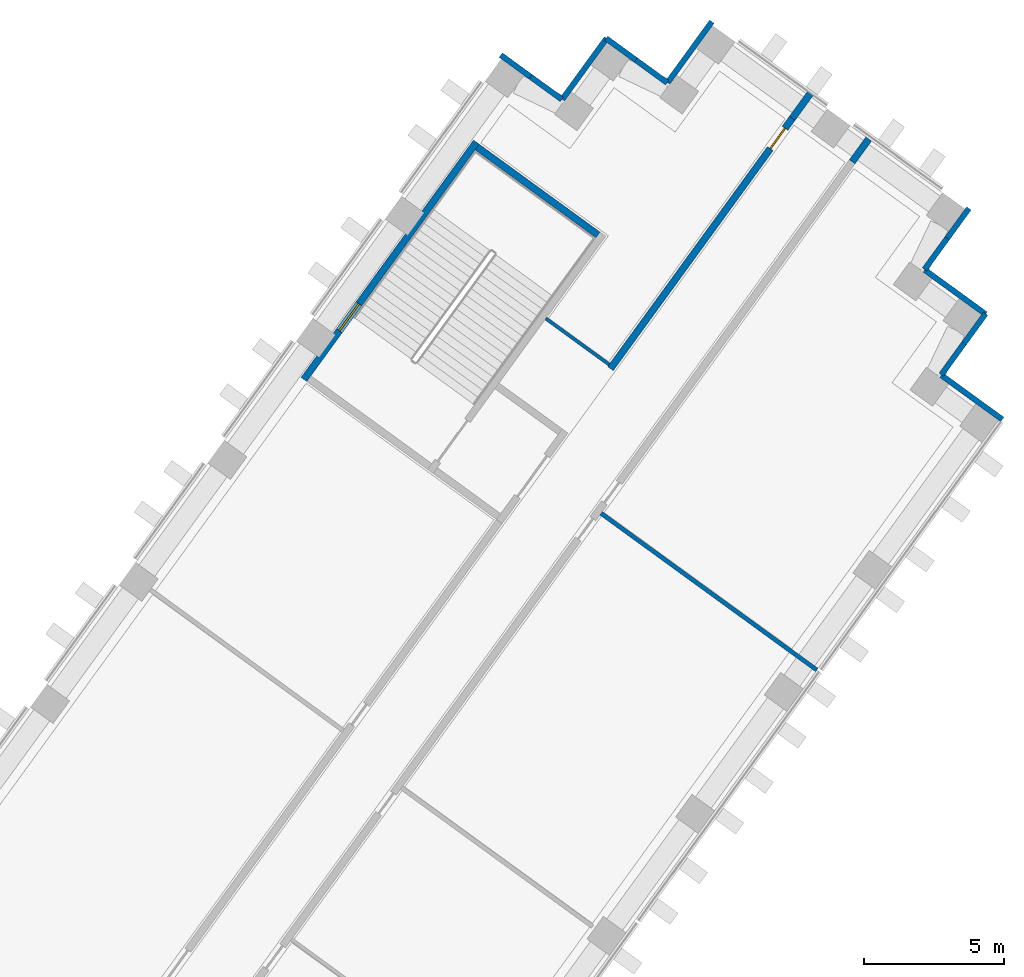
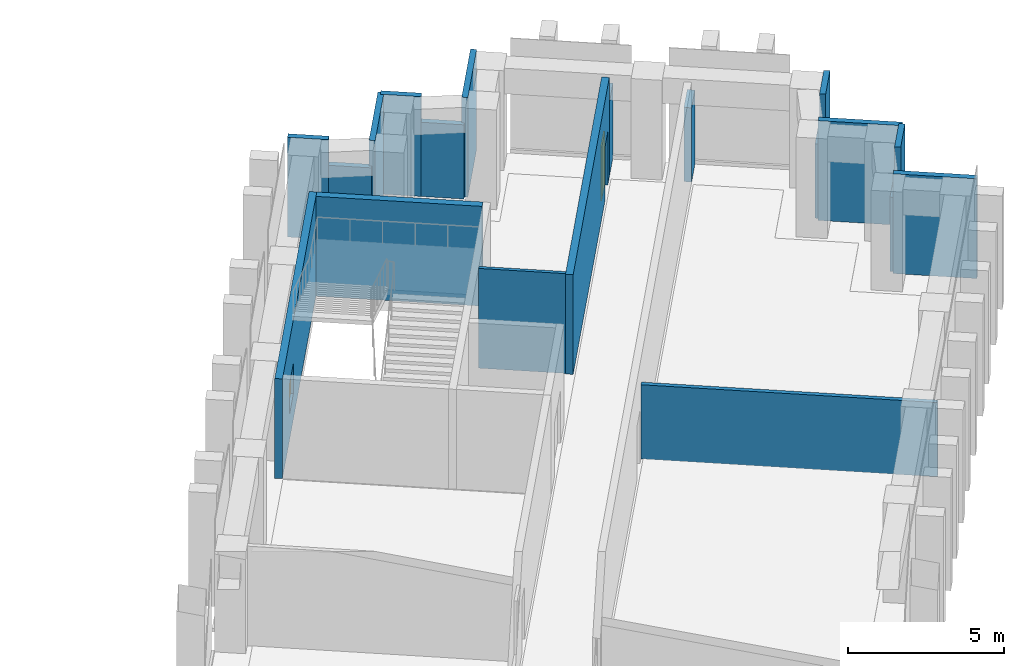
# One storey, part 10 of 14: 19 walls, 1 door, 1 window, 2 openings.
"""IFC4 building model written with IfcOpenShell, lengths in metres."""

from ifc_helpers import new_model, si_unit, direction, frame, frame_2d, origin, place, context, subcontext, project, spatial, rectangle, extrude, material, layer, layer_set, type_object, element, fill, save


model = new_model("IFC4")

# Units and contexts
model_context = context("Model", 3, precision=1e-05, world=origin(), true_north=direction((0.0, 1.0)))
body_context = subcontext(model_context, "Body", "Model", "MODEL_VIEW")
ifc_project = project(units=[si_unit("LENGTHUNIT", "METRE"), si_unit("AREAUNIT", "SQUARE_METRE"), si_unit("VOLUMEUNIT", "CUBIC_METRE"), si_unit("PLANEANGLEUNIT", "RADIAN"), si_unit("MASSUNIT", "GRAM", prefix="KILO")], contexts=[model_context])

# Site, building, storey
site_placement = place(None, origin())
site = spatial("IfcSite", under=ifc_project, at=site_placement, CompositionType="ELEMENT")
building_placement = place(site_placement, origin())
building = spatial("IfcBuilding", under=site, at=building_placement, Name="Quipu Civic Tower", CompositionType="ELEMENT")
storey_placement = place(building_placement, frame((0.0, 0.0, 20.5)))
storey = spatial("IfcBuildingStorey", under=building, at=storey_placement, Name="L04", CompositionType="ELEMENT", Elevation=20.5)

# Walls
ifc_material_1 = material(Name="Double gypsum plasterboard with mineral wool")
ifc_layer_1 = layer(ifc_material_1, 0.14990234375)
ifc_layer_set_1 = layer_set([ifc_layer_1], Name="Double gypsum plasterboard with mineral wool")
wall_type_1 = type_object("IfcWallType", Name="Acoustic partition 150 plasterboard", PredefinedType="PARTITIONING", material=ifc_layer_set_1)
wall_1_placement = place(storey_placement, frame((48.605224609375, 20.657470703125, 0.0), z_axis=(0.0, 0.0, 1.0), x_axis=(-0.809102944047, 0.587666934526, 0.0)))
element("IfcWall", 1, at=wall_1_placement, inside=storey, type_object=wall_type_1, Name="Partition P07", PredefinedType="PARTITIONING", context=body_context, shape_type="SweptSolid", body=[
    extrude(rectangle(XDim=9.550048828125, YDim=0.14990234375, at=frame_2d((4.77490234375, 0.0))), origin(), (0.0, 0.0, 1.0), 2.89990234375),
])
ifc_material_2 = material(Name="Concrete C70/85", Category="concrete")
ifc_layer_2 = layer(ifc_material_2, 0.25)
ifc_layer_set_2 = layer_set([ifc_layer_2], Name="Concrete C70/85")
wall_type_2 = type_object("IfcWallType", Name="Core wall 250", PredefinedType="SHEAR", material=ifc_layer_set_2)
wall_2_placement = place(storey_placement, frame((40.76708984375, 36.239501953125, 0.0), z_axis=(0.0, 0.0, 1.0), x_axis=(-0.809020161303, 0.587780893365, 0.0)))
element("IfcWall", 2, at=wall_2_placement, inside=storey, type_object=wall_type_2, Name="Core wall", PredefinedType="SHEAR", context=body_context, shape_type="SweptSolid", body=[
    extrude(rectangle(XDim=5.349853515625, YDim=0.25, at=frame_2d((2.6748046875, 0.0))), origin(), (0.0, 0.0, 1.0), 3.89990234375),
])

# Wall, opening, window
wall_3_placement = place(storey_placement, frame((30.239501953125, 31.06396484375, 0.0), z_axis=(0.0, 0.0, 1.0), x_axis=(0.587795589702, 0.809009483706, 0.0)))
wall_3 = element("IfcWall", 3, at=wall_3_placement, inside=storey, type_object=wall_type_2, Name="Core wall", PredefinedType="SHEAR", context=body_context, shape_type="SweptSolid", body=[
    extrude(rectangle(XDim=10.5, YDim=0.25, at=frame_2d((5.25, 0.0))), origin(), (0.0, 0.0, 1.0), 3.89990234375),
])
opening_1_placement = place(wall_3_placement, frame((2.14990234375, 0.0, 1.0)))
opening_1 = element("IfcOpeningElement", 4, at=opening_1_placement, cuts=wall_3, Name="Opening SV-7", PredefinedType="OPENING", context=body_context, shape_type="SweptSolid", body=[
    extrude(rectangle(XDim=1.199951171875, YDim=1.199951171875, at=frame_2d((0.60009765625, 0.60009765625))), frame((0.0, 0.135009765625, 0.0), z_axis=(0.0, -1.0, 0.0), x_axis=(1.0, 0.0, 0.0)), (0.0, 0.0, 1.0), 0.27001953125),
])
ifc_material_3 = material(Name="Aluminium louvre", Category="aluminium")
window_type = type_object("IfcWindowType", Name="Stair ventilation louvre 1200 x 1200", PartitioningType="SINGLE_PANEL", PredefinedType="WINDOW", material=ifc_material_3)
window_placement = place(opening_1_placement, origin())
window = element("IfcWindow", 5, at=window_placement, inside=storey, type_object=window_type, Name="Stair ventilation opening", OverallHeight=1.199951171875, OverallWidth=1.199951171875, PartitioningType="SINGLE_PANEL", PredefinedType="WINDOW", context=body_context, shape_type="SweptSolid", body=[
    extrude(rectangle(XDim=1.199951171875, YDim=1.199951171875, at=frame_2d((0.60009765625, 0.60009765625))), frame((0.0, 0.030029296875, 0.0), z_axis=(0.0, -1.0, 0.0), x_axis=(1.0, 0.0, 0.0)), (0.0, 0.0, 1.0), 0.06005859375),
])
fill(opening_1, window)

# Wall, opening, door
ifc_material_4 = material(Name="Concrete C50/60", Category="concrete")
ifc_layer_3 = layer(ifc_material_4, 0.25)
ifc_layer_set_3 = layer_set([ifc_layer_3], Name="Concrete C50/60")
wall_type_3 = type_object("IfcWallType", Name="Corridor wall 250 concrete", PredefinedType="SOLIDWALL", material=ifc_layer_set_3)
wall_4_placement = place(storey_placement, frame((41.213134765625, 31.451416015625, 0.0), z_axis=(0.0, 0.0, 1.0), x_axis=(0.587773291021, 0.809025684612, 0.0)))
wall_4 = element("IfcWall", 6, at=wall_4_placement, inside=storey, type_object=wall_type_3, Name="Corridor wall C07", PredefinedType="SOLIDWALL", context=body_context, shape_type="SweptSolid", body=[
    extrude(rectangle(XDim=11.07861328125, YDim=0.25, at=frame_2d((5.539306640625, 0.0))), origin(), (0.0, 0.0, 1.0), 3.89990234375),
])
opening_2_placement = place(wall_4_placement, frame((9.736083984375, 0.0, 0.0)))
opening_2 = element("IfcOpeningElement", 7, at=opening_2_placement, cuts=wall_4, Name="Opening D003", PredefinedType="OPENING", context=body_context, shape_type="SweptSolid", body=[
    extrude(rectangle(XDim=0.89990234375, YDim=2.10009765625, at=frame_2d((0.449951171875, 1.050048828125))), frame((0.0, 0.135009765625, 0.0), z_axis=(0.0, -1.0, 0.0), x_axis=(1.0, 0.0, 0.0)), (0.0, 0.0, 1.0), 0.27001953125),
])
ifc_material_5 = material(Name="Fire rated timber door set with metal frame", Category="wood")
door_type = type_object("IfcDoorType", Name="Single door 900 x 2100 FD60", OperationType="NOTDEFINED", PredefinedType="DOOR", material=ifc_material_5)
door_placement = place(opening_2_placement, origin())
door = element("IfcDoor", 8, at=door_placement, inside=storey, type_object=door_type, Name="Door D003", OperationType="SINGLE_SWING_RIGHT", OverallHeight=2.10009765625, OverallWidth=0.89990234375, PredefinedType="DOOR", context=body_context, shape_type="SweptSolid", body=[
    extrude(rectangle(XDim=0.89990234375, YDim=2.10009765625, at=frame_2d((0.449951171875, 1.050048828125))), frame((0.0, 0.02490234375, 0.0), z_axis=(0.0, -1.0, 0.0), x_axis=(1.0, 0.0, 0.0)), (0.0, 0.0, 1.0), 0.050048828125),
])
fill(opening_2, door)

# Walls
wall_5_placement = place(storey_placement, frame((49.86865234375, 38.8564453125, 0.0), z_axis=(0.0, 0.0, 1.0), x_axis=(0.587725246084, 0.809060588037, 0.0)))
element("IfcWall", 9, at=wall_5_placement, inside=storey, type_object=wall_type_3, Name="Corridor wall C01", PredefinedType="SOLIDWALL", context=body_context, shape_type="SweptSolid", body=[
    extrude(rectangle(XDim=1.008056640625, YDim=0.25, at=frame_2d((0.50390625, 0.0))), origin(), (0.0, 0.0, 1.0), 2.89990234375),
])
wall_6_placement = place(storey_placement, frame((47.724853515625, 40.414306640625, 0.0), z_axis=(0.0, 0.0, 1.0), x_axis=(0.587883639643, 0.808945502639, 0.0)))
element("IfcWall", 10, at=wall_6_placement, inside=storey, type_object=wall_type_3, Name="Corridor wall C07", PredefinedType="SOLIDWALL", context=body_context, shape_type="SweptSolid", body=[
    extrude(rectangle(XDim=1.10888671875, YDim=0.25, at=frame_2d((0.554443359375, 0.0))), origin(), (0.0, 0.0, 1.0), 2.89990234375),
])
ifc_material_6 = material(Name="Gypsum plasterboard on light gauge framing")
ifc_layer_4 = layer(ifc_material_6, 0.1201171875)
ifc_layer_set_4 = layer_set([ifc_layer_4], Name="Gypsum plasterboard on light gauge framing")
wall_type_4 = type_object("IfcWallType", Name="Partition 120 plasterboard", PredefinedType="PARTITIONING", material=ifc_layer_set_4)
wall_7_placement = place(storey_placement, frame((38.89990234375, 33.2451171875, 0.0), z_axis=(0.0, 0.0, 1.0), x_axis=(0.809090262332, -0.587684394381, 0.0)))
element("IfcWall", 11, at=wall_7_placement, inside=storey, type_object=wall_type_4, Name="Partition P12", PredefinedType="PARTITIONING", context=body_context, shape_type="SweptSolid", body=[
    extrude(rectangle(XDim=2.80078125, YDim=0.1201171875, at=frame_2d((1.400390625, 0.0))), origin(), (0.0, 0.0, 1.0), 3.89990234375),
])
ifc_material_7 = material(Name="Precast concrete C40/50", Category="concrete")
wall_type_5 = type_object("IfcWallType", Name="Precast cladding wall", PredefinedType="SOLIDWALL", material=ifc_material_7)
wall_8_placement = place(storey_placement, frame((55.2470703125, 29.62890625, 0.0), z_axis=(0.0, 0.0, 1.0), x_axis=(-0.809033161865, 0.587762999008, 0.0)))
element("IfcWall", 12, at=wall_8_placement, inside=storey, type_object=wall_type_5, Name="Precast cladding wall L04 P34", PredefinedType="SOLIDWALL", context=body_context, shape_type="SweptSolid", body=[
    extrude(rectangle(XDim=2.699951171875, YDim=0.199951171875, at=frame_2d((1.35009765625, 0.0))), origin(), (0.0, 0.0, 1.0), 3.89990234375),
])
wall_9_placement = place(storey_placement, frame((53.06005859375, 31.232666015625, 0.0), z_axis=(0.0, 0.0, 1.0), x_axis=(0.587776137069, 0.809023616894, 0.0)))
element("IfcWall", 13, at=wall_9_placement, inside=storey, type_object=wall_type_5, Name="Precast cladding wall L04 P35", PredefinedType="SOLIDWALL", context=body_context, shape_type="SweptSolid", body=[
    extrude(rectangle(XDim=1.394775390625, YDim=0.199951171875, at=frame_2d((0.697265625, 0.0))), origin(), (0.0, 0.0, 1.0), 2.89990234375),
])
wall_10_placement = place(storey_placement, frame((53.8798828125, 32.361083984375, 0.0), z_axis=(0.0, 0.0, 1.0), x_axis=(0.587871379726, 0.808954412127, 0.0)))
element("IfcWall", 14, at=wall_10_placement, inside=storey, type_object=wall_type_5, Name="Precast cladding wall L04 P35 a", PredefinedType="SOLIDWALL", context=body_context, shape_type="SweptSolid", body=[
    extrude(rectangle(XDim=1.30517578125, YDim=0.199951171875, at=frame_2d((0.652587890625, 0.0))), origin(), (0.0, 0.0, 1.0), 3.89990234375),
])
wall_11_placement = place(storey_placement, frame((54.649658203125, 33.400390625, 0.0), z_axis=(0.0, 0.0, 1.0), x_axis=(-0.809033161865, 0.587762999008, 0.0)))
element("IfcWall", 15, at=wall_11_placement, inside=storey, type_object=wall_type_5, Name="Precast cladding wall L04 P36", PredefinedType="SOLIDWALL", context=body_context, shape_type="SweptSolid", body=[
    extrude(rectangle(XDim=2.699951171875, YDim=0.199951171875, at=frame_2d((1.35009765625, 0.0))), origin(), (0.0, 0.0, 1.0), 3.89990234375),
])
wall_12_placement = place(storey_placement, frame((52.462646484375, 35.004150390625, 0.0), z_axis=(0.0, 0.0, 1.0), x_axis=(0.587782252522, 0.809019173827, 0.0)))
element("IfcWall", 16, at=wall_12_placement, inside=storey, type_object=wall_type_5, Name="Precast cladding wall L04 P37", PredefinedType="SOLIDWALL", context=body_context, shape_type="SweptSolid", body=[
    extrude(rectangle(XDim=1.37939453125, YDim=0.199951171875, at=frame_2d((0.689697265625, 0.0))), origin(), (0.0, 0.0, 1.0), 2.89990234375),
])
wall_13_placement = place(storey_placement, frame((53.2734375, 36.1201171875, 0.0), z_axis=(0.0, 0.0, 1.0), x_axis=(0.58786388341, 0.808959859686, 0.0)))
element("IfcWall", 17, at=wall_13_placement, inside=storey, type_object=wall_type_5, Name="Precast cladding wall L04 P37 a", PredefinedType="SOLIDWALL", context=body_context, shape_type="SweptSolid", body=[
    extrude(rectangle(XDim=1.320556640625, YDim=0.199951171875, at=frame_2d((0.66015625, 0.0))), origin(), (0.0, 0.0, 1.0), 3.89990234375),
])
wall_14_placement = place(storey_placement, frame((44.846435546875, 43.875, 0.0), z_axis=(0.0, 0.0, 1.0), x_axis=(-0.587822180636, -0.808990163075, 0.0)))
element("IfcWall", 18, at=wall_14_placement, inside=storey, type_object=wall_type_5, Name="Precast cladding wall L04 P40", PredefinedType="SOLIDWALL", context=body_context, shape_type="SweptSolid", body=[
    extrude(rectangle(XDim=2.699951171875, YDim=0.199951171875, at=frame_2d((1.35009765625, 0.0))), origin(), (0.0, 0.0, 1.0), 3.89990234375),
])
wall_15_placement = place(storey_placement, frame((43.242431640625, 41.68798828125, 0.0), z_axis=(0.0, 0.0, 1.0), x_axis=(-0.808926734208, 0.5879094647, 0.0)))
element("IfcWall", 19, at=wall_15_placement, inside=storey, type_object=wall_type_5, Name="Precast cladding wall L04 P41", PredefinedType="SOLIDWALL", context=body_context, shape_type="SweptSolid", body=[
    extrude(rectangle(XDim=1.384033203125, YDim=0.199951171875, at=frame_2d((0.69189453125, 0.0))), origin(), (0.0, 0.0, 1.0), 2.89990234375),
])
wall_16_placement = place(storey_placement, frame((42.122802734375, 42.501708984375, 0.0), z_axis=(0.0, 0.0, 1.0), x_axis=(-0.809056865039, 0.587730371117, 0.0)))
element("IfcWall", 20, at=wall_16_placement, inside=storey, type_object=wall_type_5, Name="Precast cladding wall L04 P41 a", PredefinedType="SOLIDWALL", context=body_context, shape_type="SweptSolid", body=[
    extrude(rectangle(XDim=1.31591796875, YDim=0.199951171875, at=frame_2d((0.657958984375, 0.0))), origin(), (0.0, 0.0, 1.0), 3.89990234375),
])
wall_17_placement = place(storey_placement, frame((41.074951171875, 43.277587890625, 0.0), z_axis=(0.0, 0.0, 1.0), x_axis=(-0.587806000234, -0.809001919707, 0.0)))
element("IfcWall", 21, at=wall_17_placement, inside=storey, type_object=wall_type_5, Name="Precast cladding wall L04 P42", PredefinedType="SOLIDWALL", context=body_context, shape_type="SweptSolid", body=[
    extrude(rectangle(XDim=2.69970703125, YDim=0.199951171875, at=frame_2d((1.349853515625, 0.0))), origin(), (0.0, 0.0, 1.0), 3.89990234375),
])
wall_18_placement = place(storey_placement, frame((39.47119140625, 41.0908203125, 0.0), z_axis=(0.0, 0.0, 1.0), x_axis=(-0.809002762913, 0.58780483972, 0.0)))
element("IfcWall", 22, at=wall_18_placement, inside=storey, type_object=wall_type_5, Name="Precast cladding wall L04 P43", PredefinedType="SOLIDWALL", context=body_context, shape_type="SweptSolid", body=[
    extrude(rectangle(XDim=1.38525390625, YDim=0.199951171875, at=frame_2d((0.692626953125, 0.0))), origin(), (0.0, 0.0, 1.0), 2.89990234375),
])
wall_19_placement = place(storey_placement, frame((38.3505859375, 41.905029296875, 0.0), z_axis=(0.0, 0.0, 1.0), x_axis=(-0.809065186597, 0.587718915671, 0.0)))
element("IfcWall", 23, at=wall_19_placement, inside=storey, type_object=wall_type_5, Name="Precast cladding wall L04 P43 a", PredefinedType="SOLIDWALL", context=body_context, shape_type="SweptSolid", body=[
    extrude(rectangle(XDim=1.314697265625, YDim=0.199951171875, at=frame_2d((0.6572265625, 0.0))), origin(), (0.0, 0.0, 1.0), 3.89990234375),
])

save(model, "model.ifc")
